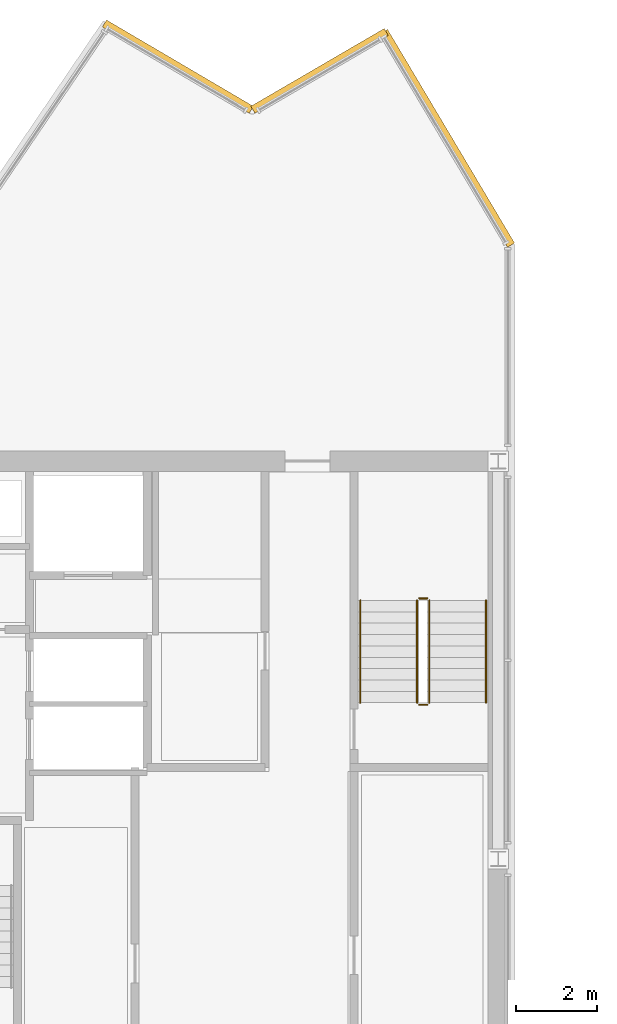
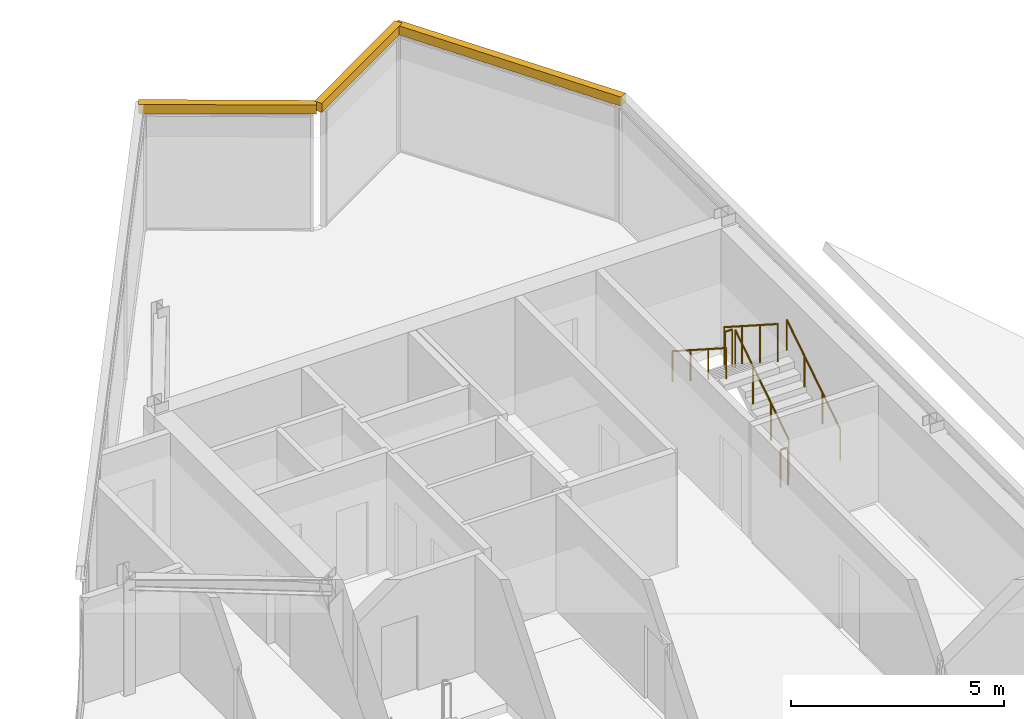
# One storey, part 9 of 10: 6 railings, 3 coverings.
"""IFC4 building model written with IfcOpenShell, lengths in metres."""

from ifc_helpers import new_model, si_unit, direction, frame, origin, origin_2d, place, context, subcontext, project, spatial, polyline, circle, outline, extrude, material, layer, layer_set, type_object, element, save


model = new_model("IFC4")

# Units and contexts
model_context = context("Model", 3, precision=1e-05, world=origin(), true_north=direction((0.0, 1.0)))
body_context = subcontext(model_context, "Body", "Model", "MODEL_VIEW")
ifc_project = project(units=[si_unit("LENGTHUNIT", "METRE"), si_unit("AREAUNIT", "SQUARE_METRE"), si_unit("VOLUMEUNIT", "CUBIC_METRE"), si_unit("PLANEANGLEUNIT", "RADIAN"), si_unit("MASSUNIT", "GRAM", prefix="KILO")], contexts=[model_context])

# Site, building, storey
site_placement = place(None, origin())
site = spatial("IfcSite", under=ifc_project, at=site_placement, CompositionType="ELEMENT")
building_placement = place(site_placement, origin())
building = spatial("IfcBuilding", under=site, at=building_placement, Name="Savorim Split Tower", CompositionType="ELEMENT")
storey_placement = place(building_placement, frame((0.0, 0.0, 315.60009765625)))
storey = spatial("IfcBuildingStorey", under=building, at=storey_placement, Name="Crown L84 Plant", CompositionType="ELEMENT", Elevation=315.60009765625)

# Coverings
ifc_material_1 = material(Name="Terracotta Ceramic-Coated Aluminium Fin", Category="masonry")
ifc_layer = layer(ifc_material_1, 0.050048828125)
ifc_layer_set = layer_set([ifc_layer], Name="COV-CLAD-TERRA")
covering_type = type_object("IfcCoveringType", Name="COV-CLAD-TERRA", PredefinedType="CLADDING", material=ifc_layer_set)
covering_1_placement = place(storey_placement, frame((0.0, 0.0, 3.33984375)))
element("IfcCovering", 1, at=covering_1_placement, inside=storey, type_object=covering_type, Name="Crown L84 Plant Sloped Crest Eave Spandrel W2", PredefinedType="CLADDING", context=body_context, shape_type="SweptSolid", body=[
    extrude(outline(polyline([(8.1015625, 15.57666015625), (4.9716796875, 20.84033203125), (4.7998046875, 20.738037109375), (7.9296875, 15.474365234375), (8.1015625, 15.57666015625)])), origin(), (0.0, 0.0, 1.0), 0.260009765625),
])
covering_2_placement = place(storey_placement, frame((0.0, 0.0, 3.33984375)))
element("IfcCovering", 2, at=covering_2_placement, inside=storey, type_object=covering_type, Name="Crown L84 Plant Sloped Crest Eave Spandrel W3", PredefinedType="CLADDING", context=body_context, shape_type="SweptSolid", body=[
    extrude(outline(polyline([(4.889892578125, 20.861328125), (1.603759765625, 18.9462890625), (1.70458984375, 18.7734375), (4.990478515625, 20.688720703125), (4.889892578125, 20.861328125)])), origin(), (0.0, 0.0, 1.0), 0.260009765625),
])
covering_3_placement = place(storey_placement, frame((0.0, 0.0, 3.33984375)))
element("IfcCovering", 3, at=covering_3_placement, inside=storey, type_object=covering_type, Name="Crown L84 Plant Sloped Crest Eave Spandrel W4", PredefinedType="CLADDING", context=body_context, shape_type="SweptSolid", body=[
    extrude(outline(polyline([(1.664306640625, 18.946044921875), (-1.951904296875, 21.071533203125), (-2.05322265625, 20.899169921875), (1.56298828125, 18.773681640625), (1.664306640625, 18.946044921875)])), origin(), (0.0, 0.0, 1.0), 0.260009765625),
])

# Railings
ifc_material_2 = material(Name="Galvanised Painted Steel Balustrade", Category="steel")
railing_type_1 = type_object("IfcRailingType", Name="RLG-HR-900", PredefinedType="HANDRAIL", material=ifc_material_2)
railing_1_placement = place(storey_placement, frame((7.39990234375, 4.25, 0.179931640625)))
element("IfcRailing", 4, at=railing_1_placement, inside=storey, type_object=railing_type_1, Name="Crown L84 Plant ST-2 stair handrail 1", PredefinedType="HANDRAIL", context=body_context, shape_type="SweptSolid", body=[
    extrude(circle(Radius=0.02392578125, at=origin_2d()), frame((0.0, 0.0, 0.8759765625), z_axis=(0.0, 0.841199657755, 0.540724639528), x_axis=(-1.0, 0.0, 0.0)), (0.0, 0.0, 1.0), 2.995849609375),
    extrude(circle(Radius=0.02099609375, at=origin_2d()), origin(), (0.0, 0.0, 1.0), 0.851806640625),
    extrude(circle(Radius=0.02099609375, at=origin_2d()), frame((0.0, 0.840087890625, 0.5400390625)), (0.0, 0.0, 1.0), 0.851806640625),
    extrude(circle(Radius=0.02099609375, at=origin_2d()), frame((0.0, 1.679931640625, 1.079833984375)), (0.0, 0.0, 1.0), 0.851806640625),
    extrude(circle(Radius=0.02099609375, at=origin_2d()), frame((0.0, 2.52001953125, 1.619873046875)), (0.0, 0.0, 1.0), 0.851806640625),
])
railing_2_placement = place(storey_placement, frame((4.300048828125, 6.77001953125, 1.97998046875)))
element("IfcRailing", 5, at=railing_2_placement, inside=storey, type_object=railing_type_1, Name="Crown L84 Plant ST-2 stair handrail 2", PredefinedType="HANDRAIL", context=body_context, shape_type="SweptSolid", body=[
    extrude(circle(Radius=0.02392578125, at=origin_2d()), frame((0.0, 0.0, 0.8759765625), z_axis=(0.0, -0.841199657755, 0.540724639528), x_axis=(1.0, 0.0, 0.0)), (0.0, 0.0, 1.0), 2.995849609375),
    extrude(circle(Radius=0.02099609375, at=origin_2d()), origin(), (0.0, 0.0, 1.0), 0.851806640625),
    extrude(circle(Radius=0.02099609375, at=origin_2d()), frame((0.0, -0.840087890625, 0.5400390625)), (0.0, 0.0, 1.0), 0.851806640625),
    extrude(circle(Radius=0.02099609375, at=origin_2d()), frame((0.0, -1.679931640625, 1.079833984375)), (0.0, 0.0, 1.0), 0.851806640625),
    extrude(circle(Radius=0.02099609375, at=origin_2d()), frame((0.0, -2.52001953125, 1.619873046875)), (0.0, 0.0, 1.0), 0.851806640625),
])
railing_type_2 = type_object("IfcRailingType", Name="RLG-STG-1100", PredefinedType="BALUSTRADE", material=ifc_material_2)
railing_3_placement = place(storey_placement, frame((6.0, 4.25, 0.179931640625)))
element("IfcRailing", 6, at=railing_3_placement, inside=storey, type_object=railing_type_2, Name="Crown L84 Plant ST-2 stair guard 1", PredefinedType="BALUSTRADE", context=body_context, shape_type="SweptSolid", body=[
    extrude(circle(Radius=0.02392578125, at=origin_2d()), frame((0.0, 0.0, 1.076171875), z_axis=(0.0, 0.841199657755, 0.540724639528), x_axis=(-1.0, 0.0, 0.0)), (0.0, 0.0, 1.0), 2.995849609375),
    extrude(circle(Radius=0.02099609375, at=origin_2d()), origin(), (0.0, 0.0, 1.0), 1.052001953125),
    extrude(circle(Radius=0.02099609375, at=origin_2d()), frame((0.0, 0.840087890625, 0.5400390625)), (0.0, 0.0, 1.0), 1.052001953125),
    extrude(circle(Radius=0.02099609375, at=origin_2d()), frame((0.0, 1.679931640625, 1.079833984375)), (0.0, 0.0, 1.0), 1.052001953125),
    extrude(circle(Radius=0.02099609375, at=origin_2d()), frame((0.0, 2.52001953125, 1.619873046875)), (0.0, 0.0, 1.0), 1.052001953125),
])
railing_4_placement = place(storey_placement, frame((5.949951171875, 6.820068359375, 1.7998046875)))
element("IfcRailing", 7, at=railing_4_placement, inside=storey, type_object=railing_type_2, Name="Crown L84 Plant ST-2 stair guard 2", PredefinedType="BALUSTRADE", context=body_context, shape_type="SweptSolid", body=[
    extrude(circle(Radius=0.02392578125, at=origin_2d()), frame((0.0, 0.0, 1.076171875), z_axis=(-1.0, 0.0, 0.0), x_axis=(0.0, -1.0, 0.0)), (0.0, 0.0, 1.0), 0.199951171875),
    extrude(circle(Radius=0.02099609375, at=origin_2d()), origin(), (0.0, 0.0, 1.0), 1.052001953125),
    extrude(circle(Radius=0.02099609375, at=origin_2d()), frame((-0.199951171875, 0.0, 0.0)), (0.0, 0.0, 1.0), 1.052001953125),
])
railing_5_placement = place(storey_placement, frame((5.699951171875, 6.77001953125, 1.97998046875)))
element("IfcRailing", 8, at=railing_5_placement, inside=storey, type_object=railing_type_2, Name="Crown L84 Plant ST-2 stair guard 3", PredefinedType="BALUSTRADE", context=body_context, shape_type="SweptSolid", body=[
    extrude(circle(Radius=0.02392578125, at=origin_2d()), frame((0.0, 0.0, 1.076171875), z_axis=(0.0, -0.841199657755, 0.540724639528), x_axis=(1.0, 0.0, 0.0)), (0.0, 0.0, 1.0), 2.995849609375),
    extrude(circle(Radius=0.02099609375, at=origin_2d()), origin(), (0.0, 0.0, 1.0), 1.052001953125),
    extrude(circle(Radius=0.02099609375, at=origin_2d()), frame((0.0, -0.840087890625, 0.5400390625)), (0.0, 0.0, 1.0), 1.052001953125),
    extrude(circle(Radius=0.02099609375, at=origin_2d()), frame((0.0, -1.679931640625, 1.079833984375)), (0.0, 0.0, 1.0), 1.052001953125),
    extrude(circle(Radius=0.02099609375, at=origin_2d()), frame((0.0, -2.52001953125, 1.619873046875)), (0.0, 0.0, 1.0), 1.052001953125),
])
railing_6_placement = place(storey_placement, frame((5.949951171875, 4.199951171875, 0.0)))
element("IfcRailing", 9, at=railing_6_placement, inside=storey, type_object=railing_type_2, Name="Crown L84 Plant ST-2 stair guard 4", PredefinedType="BALUSTRADE", context=body_context, shape_type="SweptSolid", body=[
    extrude(circle(Radius=0.02392578125, at=origin_2d()), frame((0.0, 0.0, 1.076171875), z_axis=(-1.0, 0.0, 0.0), x_axis=(0.0, -1.0, 0.0)), (0.0, 0.0, 1.0), 0.199951171875),
    extrude(circle(Radius=0.02099609375, at=origin_2d()), origin(), (0.0, 0.0, 1.0), 1.052001953125),
    extrude(circle(Radius=0.02099609375, at=origin_2d()), frame((-0.199951171875, 0.0, 0.0)), (0.0, 0.0, 1.0), 1.052001953125),
])

save(model, "model.ifc")
